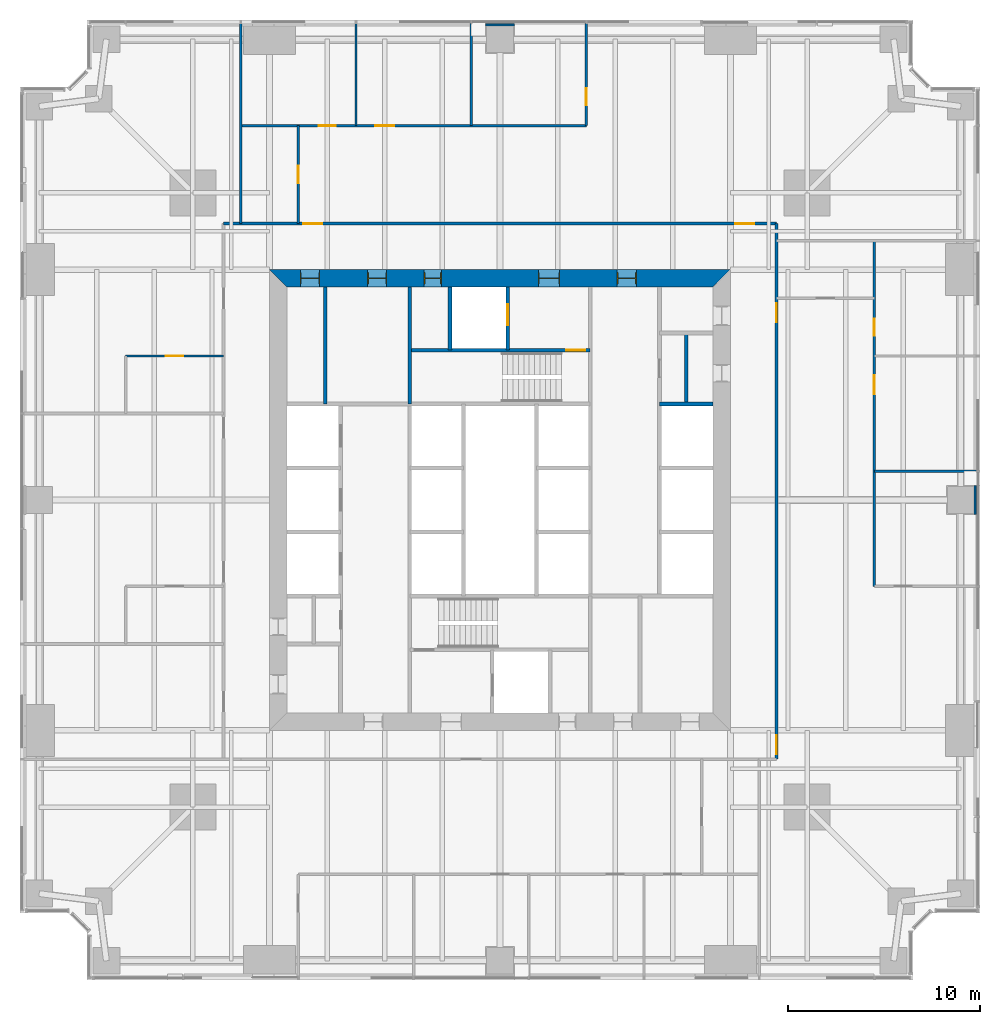
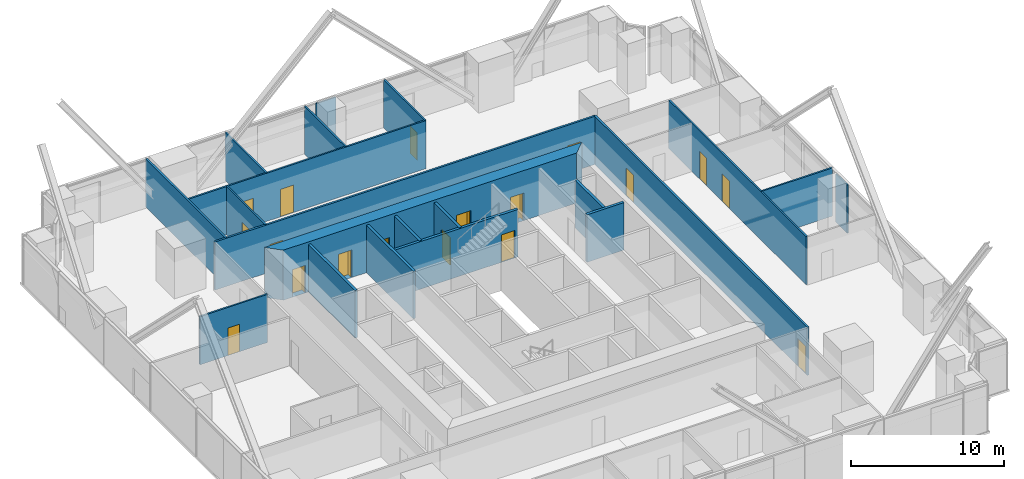
# One storey, part 11 of 14: 21 walls, 18 doors, 18 openings.
"""IFC4 building model written with IfcOpenShell, lengths in metres."""

from ifc_helpers import new_model, si_unit, direction, frame, frame_2d, origin, place, context, subcontext, project, spatial, polyline, rectangle, outline, extrude, material, layer, layer_set, type_object, element, fill, save


model = new_model("IFC4")

# Units and contexts
model_context = context("Model", 3, precision=1e-05, world=origin(), true_north=direction((0.0, 1.0)))
body_context = subcontext(model_context, "Body", "Model", "MODEL_VIEW")
ifc_project = project(units=[si_unit("LENGTHUNIT", "METRE"), si_unit("AREAUNIT", "SQUARE_METRE"), si_unit("VOLUMEUNIT", "CUBIC_METRE"), si_unit("PLANEANGLEUNIT", "RADIAN"), si_unit("MASSUNIT", "GRAM", prefix="KILO")], contexts=[model_context])

# Site, building, storey
site_placement = place(None, origin())
site = spatial("IfcSite", under=ifc_project, at=site_placement, CompositionType="ELEMENT")
building_placement = place(site_placement, origin())
building = spatial("IfcBuilding", under=site, at=building_placement, Name="Fenwick Lantern Interchange", CompositionType="ELEMENT")
storey_placement = place(building_placement, frame((0.0, 0.0, 79.0)))
storey = spatial("IfcBuildingStorey", under=building, at=storey_placement, Name="L18", CompositionType="ELEMENT", Elevation=79.0)

# Walls
ifc_material_1 = material(Name="Fire-rated gypsum board encasement on steel studs, 2 hour", Category="steel")
ifc_layer_1 = layer(ifc_material_1, 1.5)
ifc_layer_set_1 = layer_set([ifc_layer_1], Name="COLUMN PIER 1500")
wall_type_1 = type_object("IfcWallType", Name="COLUMN PIER 1500", PredefinedType="PARTITIONING", material=ifc_layer_set_1)
for number, where, z_axis, x_axis, name in (
    (1, (49.800048828125, 25.0, 0.0), (0.0, 0.0, 1.0), (-1.0, 0.0, 0.0), "L18/W/PIER/CE3"),
    (2, (25.0, 49.800048828125, 0.0), (0.0, 0.0, 1.0), (0.0, -1.0, 0.0), "L18/W/PIER/CN3"),
):
    element("IfcWall", number, at=place(storey_placement, frame(where, z_axis=z_axis, x_axis=x_axis)), inside=storey, type_object=wall_type_1, Name=name, PredefinedType="PARTITIONING", context=body_context, shape_type="SweptSolid", body=[
        extrude(rectangle(XDim=0.10009765625, YDim=1.5, at=frame_2d((0.050048828125, 0.0))), origin(), (0.0, 0.0, 1.0), 3.85009765625),
    ])
ifc_material_2 = material(Name="Concrete masonry ASTM C90 Grade N", Category="masonry")
ifc_layer_2 = layer(ifc_material_2, 0.199951171875)
ifc_layer_set_2 = layer_set([ifc_layer_2], Name="Concrete masonry ASTM C90 Grade N")
wall_type_2 = type_object("IfcWallType", Name="CORE PARTITION 200", PredefinedType="PARTITIONING", material=ifc_layer_set_2)
wall_1_placement = place(storey_placement, frame((36.10009765625, 30.0, 0.0), z_axis=(0.0, 0.0, 1.0), x_axis=(-1.0, 0.0, 0.0)))
element("IfcWall", 3, at=wall_1_placement, inside=storey, type_object=wall_type_2, Name="L18/W/COREN/c2", PredefinedType="PARTITIONING", context=body_context, shape_type="SweptSolid", body=[
    extrude(rectangle(XDim=2.800048828125, YDim=0.199951171875, at=frame_2d((1.39990234375, 0.0))), origin(), (0.0, 0.0, 1.0), 3.800048828125),
])

# Wall, opening, door
wall_2_placement = place(storey_placement, frame((25.39990234375, 36.10009765625, 0.0), z_axis=(0.0, 0.0, 1.0), x_axis=(0.0, -1.0, 0.0)))
wall_2 = element("IfcWall", 4, at=wall_2_placement, inside=storey, type_object=wall_type_2, Name="L18/W/COREN/h1", PredefinedType="PARTITIONING", context=body_context, shape_type="SweptSolid", body=[
    extrude(rectangle(XDim=3.300048828125, YDim=0.199951171875, at=frame_2d((1.64990234375, 0.0))), origin(), (0.0, 0.0, 1.0), 3.800048828125),
])
opening_1_placement = place(wall_2_placement, frame((0.89990234375, 0.0, 0.0)))
opening_1 = element("IfcOpeningElement", 5, at=opening_1_placement, cuts=wall_2, Name="Opening LD-FL2", PredefinedType="OPENING", context=body_context, shape_type="SweptSolid", body=[
    extrude(rectangle(XDim=1.10009765625, YDim=2.199951171875, at=frame_2d((0.550048828125, 1.10009765625))), frame((0.0, 0.10986328125, 0.0), z_axis=(0.0, -1.0, 0.0), x_axis=(1.0, 0.0, 0.0)), (0.0, 0.0, 1.0), 0.219970703125),
])
ifc_material_3 = material(Name="Steel door and frame", Category="steel")
door_type_1 = type_object("IfcDoorType", Name="LIFT LANDING DOOR 1100 X 2200", OperationType="DOUBLE_DOOR_SLIDING", PredefinedType="DOOR", material=ifc_material_3)
door_1_placement = place(opening_1_placement, origin())
door_1 = element("IfcDoor", 6, at=door_1_placement, inside=storey, type_object=door_type_1, Name="Lift landing door FL2", OperationType="DOUBLE_DOOR_SLIDING", OverallHeight=2.199951171875, OverallWidth=1.10009765625, PredefinedType="DOOR", context=body_context, shape_type="SweptSolid", body=[
    extrude(rectangle(XDim=1.10009765625, YDim=2.199951171875, at=frame_2d((0.550048828125, 1.10009765625))), frame((0.0, 0.02490234375, 0.0), z_axis=(0.0, -1.0, 0.0), x_axis=(1.0, 0.0, 0.0)), (0.0, 0.0, 1.0), 0.050048828125),
])
fill(opening_1, door_1)

# Walls
wall_3_placement = place(storey_placement, frame((22.39990234375, 36.10009765625, 0.0), z_axis=(0.0, 0.0, 1.0), x_axis=(0.0, -1.0, 0.0)))
element("IfcWall", 7, at=wall_3_placement, inside=storey, type_object=wall_type_2, Name="L18/W/COREN/h2", PredefinedType="PARTITIONING", context=body_context, shape_type="SweptSolid", body=[
    extrude(rectangle(XDim=3.300048828125, YDim=0.199951171875, at=frame_2d((1.64990234375, 0.0))), origin(), (0.0, 0.0, 1.0), 3.800048828125),
])
wall_4_placement = place(storey_placement, frame((15.89990234375, 36.10009765625, 0.0), z_axis=(0.0, 0.0, 1.0), x_axis=(0.0, -1.0, 0.0)))
element("IfcWall", 8, at=wall_4_placement, inside=storey, type_object=wall_type_2, Name="L18/W/COREN/i2", PredefinedType="PARTITIONING", context=body_context, shape_type="SweptSolid", body=[
    extrude(rectangle(XDim=6.10009765625, YDim=0.199951171875, at=frame_2d((3.050048828125, 0.0))), origin(), (0.0, 0.0, 1.0), 3.800048828125),
])
wall_5_placement = place(storey_placement, frame((34.699951171875, 33.699951171875, 0.0), z_axis=(0.0, 0.0, 1.0), x_axis=(0.0, -1.0, 0.0)))
element("IfcWall", 9, at=wall_5_placement, inside=storey, type_object=wall_type_2, Name="L18/W/COREN/px", PredefinedType="PARTITIONING", context=body_context, shape_type="SweptSolid", body=[
    extrude(rectangle(XDim=3.699951171875, YDim=0.199951171875, at=frame_2d((1.85009765625, 0.0))), origin(), (0.0, 0.0, 1.0), 3.800048828125),
])

# Wall, openings, doors
ifc_material_4 = material(Name="Concrete f'c 70 MPa", Category="concrete")
ifc_layer_3 = layer(ifc_material_4, 0.89990234375)
ifc_layer_set_3 = layer_set([ifc_layer_3], Name="CORE WALL 900")
wall_type_3 = type_object("IfcWallType", Name="CORE WALL 900", PredefinedType="SHEAR", material=ifc_layer_set_3)
wall_6_placement = place(storey_placement, frame((37.0, 36.550048828125, 0.0), z_axis=(0.0, 0.0, 1.0), x_axis=(-1.0, 0.0, 0.0)))
wall_6 = element("IfcWall", 10, at=wall_6_placement, inside=storey, type_object=wall_type_3, Name="L18/CORE/N", PredefinedType="SHEAR", context=body_context, shape_type="SweptSolid", body=[
    extrude(outline(polyline([(0.0, -0.449951171875), (24.0, -0.449951171875), (23.10009765625, 0.449951171875), (0.89990234375, 0.449951171875), (0.0, -0.449951171875)])), origin(), (0.0, 0.0, 1.0), 4.0),
])
opening_2_placement = place(wall_6_placement, frame((4.89990234375, 0.0, 0.0)))
opening_2 = element("IfcOpeningElement", 11, at=opening_2_placement, cuts=wall_6, Name="Opening L18-D010", PredefinedType="OPENING", context=body_context, shape_type="SweptSolid", body=[
    extrude(rectangle(XDim=1.0, YDim=2.199951171875, at=frame_2d((0.5, 1.10009765625))), frame((0.0, 0.4599609375, 0.0), z_axis=(0.0, -1.0, 0.0), x_axis=(1.0, 0.0, 0.0)), (0.0, 0.0, 1.0), 0.919921875),
])
opening_3_placement = place(wall_6_placement, frame((8.89990234375, 0.0, 0.0)))
opening_3 = element("IfcOpeningElement", 12, at=opening_3_placement, cuts=wall_6, Name="Opening L18-D011", PredefinedType="OPENING", context=body_context, shape_type="SweptSolid", body=[
    extrude(rectangle(XDim=1.10009765625, YDim=2.199951171875, at=frame_2d((0.550048828125, 1.10009765625))), frame((0.0, 0.4599609375, 0.0), z_axis=(0.0, -1.0, 0.0), x_axis=(1.0, 0.0, 0.0)), (0.0, 0.0, 1.0), 0.919921875),
])
opening_4_placement = place(wall_6_placement, frame((15.050048828125, 0.0, 0.0)))
opening_4 = element("IfcOpeningElement", 13, at=opening_4_placement, cuts=wall_6, Name="Opening L18-D013", PredefinedType="OPENING", context=body_context, shape_type="SweptSolid", body=[
    extrude(rectangle(XDim=0.89990234375, YDim=2.199951171875, at=frame_2d((0.449951171875, 1.10009765625))), frame((0.0, 0.4599609375, 0.0), z_axis=(0.0, -1.0, 0.0), x_axis=(1.0, 0.0, 0.0)), (0.0, 0.0, 1.0), 0.919921875),
])
opening_5_placement = place(wall_6_placement, frame((17.89990234375, 0.0, 0.0)))
opening_5 = element("IfcOpeningElement", 14, at=opening_5_placement, cuts=wall_6, Name="Opening L18-D014", PredefinedType="OPENING", context=body_context, shape_type="SweptSolid", body=[
    extrude(rectangle(XDim=1.0, YDim=2.199951171875, at=frame_2d((0.5, 1.10009765625))), frame((0.0, 0.4599609375, 0.0), z_axis=(0.0, -1.0, 0.0), x_axis=(1.0, 0.0, 0.0)), (0.0, 0.0, 1.0), 0.919921875),
])
opening_6_placement = place(wall_6_placement, frame((21.39990234375, 0.0, 0.0)))
opening_6 = element("IfcOpeningElement", 15, at=opening_6_placement, cuts=wall_6, Name="Opening L18-D015", PredefinedType="OPENING", context=body_context, shape_type="SweptSolid", body=[
    extrude(rectangle(XDim=1.0, YDim=2.199951171875, at=frame_2d((0.5, 1.10009765625))), frame((0.0, 0.4599609375, 0.0), z_axis=(0.0, -1.0, 0.0), x_axis=(1.0, 0.0, 0.0)), (0.0, 0.0, 1.0), 0.919921875),
])
door_type_2 = type_object("IfcDoorType", Name="CORE LOBBY DOOR 1000 X 2200", OperationType="SINGLE_SWING_LEFT", PredefinedType="DOOR", material=ifc_material_3)
door_2_placement = place(opening_2_placement, origin())
door_2 = element("IfcDoor", 16, at=door_2_placement, inside=storey, type_object=door_type_2, Name="Core lobby door", OperationType="SINGLE_SWING_LEFT", OverallHeight=2.199951171875, OverallWidth=1.0, PredefinedType="DOOR", context=body_context, shape_type="SweptSolid", body=[
    extrude(rectangle(XDim=1.0, YDim=2.199951171875, at=frame_2d((0.5, 1.10009765625))), frame((0.0, 0.02490234375, 0.0), z_axis=(0.0, -1.0, 0.0), x_axis=(1.0, 0.0, 0.0)), (0.0, 0.0, 1.0), 0.050048828125),
    extrude(outline(polyline([(0.0, 0.0), (0.0400390625, 0.0), (0.0400390625, 2.159912109375), (0.9599609375, 2.159912109375), (0.9599609375, 0.0), (1.0, 0.0), (1.0, 2.199951171875), (0.0, 2.199951171875), (0.0, 0.0)])), frame((0.0, 0.300048828125, 0.0), z_axis=(0.0, -1.0, 0.0), x_axis=(1.0, 0.0, 0.0)), (0.0, 0.0, 1.0), 0.60009765625),
])
fill(opening_2, door_2)
door_type_3 = type_object("IfcDoorType", Name="FIRE LOBBY DOOR 1100 X 2200", OperationType="SINGLE_SWING_LEFT", PredefinedType="DOOR", material=ifc_material_3)
door_3_placement = place(opening_3_placement, origin())
door_3 = element("IfcDoor", 17, at=door_3_placement, inside=storey, type_object=door_type_3, Name="Fire lobby door", OperationType="SINGLE_SWING_LEFT", OverallHeight=2.199951171875, OverallWidth=1.10009765625, PredefinedType="DOOR", context=body_context, shape_type="SweptSolid", body=[
    extrude(rectangle(XDim=1.10009765625, YDim=2.199951171875, at=frame_2d((0.550048828125, 1.10009765625))), frame((0.0, 0.02490234375, 0.0), z_axis=(0.0, -1.0, 0.0), x_axis=(1.0, 0.0, 0.0)), (0.0, 0.0, 1.0), 0.050048828125),
    extrude(outline(polyline([(0.0, 0.0), (0.0400390625, 0.0), (0.0400390625, 2.159912109375), (1.06005859375, 2.159912109375), (1.06005859375, 0.0), (1.10009765625, 0.0), (1.10009765625, 2.199951171875), (0.0, 2.199951171875), (0.0, 0.0)])), frame((0.0, 0.300048828125, 0.0), z_axis=(0.0, -1.0, 0.0), x_axis=(1.0, 0.0, 0.0)), (0.0, 0.0, 1.0), 0.60009765625),
])
fill(opening_3, door_3)
door_type_4 = type_object("IfcDoorType", Name="SERVICE DOOR 900 X 2200", OperationType="SINGLE_SWING_LEFT", PredefinedType="DOOR", material=ifc_material_3)
door_4_placement = place(opening_4_placement, origin())
door_4 = element("IfcDoor", 18, at=door_4_placement, inside=storey, type_object=door_type_4, Name="Service door", OperationType="SINGLE_SWING_LEFT", OverallHeight=2.199951171875, OverallWidth=0.89990234375, PredefinedType="DOOR", context=body_context, shape_type="SweptSolid", body=[
    extrude(rectangle(XDim=0.89990234375, YDim=2.199951171875, at=frame_2d((0.449951171875, 1.10009765625))), frame((0.0, 0.02490234375, 0.0), z_axis=(0.0, -1.0, 0.0), x_axis=(1.0, 0.0, 0.0)), (0.0, 0.0, 1.0), 0.050048828125),
    extrude(outline(polyline([(0.0, 0.0), (0.0400390625, 0.0), (0.0400390625, 2.159912109375), (0.85986328125, 2.159912109375), (0.85986328125, 0.0), (0.89990234375, 0.0), (0.89990234375, 2.199951171875), (0.0, 2.199951171875), (0.0, 0.0)])), frame((0.0, 0.300048828125, 0.0), z_axis=(0.0, -1.0, 0.0), x_axis=(1.0, 0.0, 0.0)), (0.0, 0.0, 1.0), 0.60009765625),
])
fill(opening_4, door_4)
ifc_material_5 = material(Name="Hardwood door and steel frame", Category="steel")
door_type_5 = type_object("IfcDoorType", Name="WC DOOR 1000 X 2200", OperationType="SINGLE_SWING_LEFT", PredefinedType="DOOR", material=ifc_material_5)
door_5_placement = place(opening_5_placement, origin())
door_5 = element("IfcDoor", 19, at=door_5_placement, inside=storey, type_object=door_type_5, Name="Wc door", OperationType="SINGLE_SWING_LEFT", OverallHeight=2.199951171875, OverallWidth=1.0, PredefinedType="DOOR", context=body_context, shape_type="SweptSolid", body=[
    extrude(rectangle(XDim=1.0, YDim=2.199951171875, at=frame_2d((0.5, 1.10009765625))), frame((0.0, 0.02490234375, 0.0), z_axis=(0.0, -1.0, 0.0), x_axis=(1.0, 0.0, 0.0)), (0.0, 0.0, 1.0), 0.050048828125),
    extrude(outline(polyline([(0.0, 0.0), (0.0400390625, 0.0), (0.0400390625, 2.159912109375), (0.9599609375, 2.159912109375), (0.9599609375, 0.0), (1.0, 0.0), (1.0, 2.199951171875), (0.0, 2.199951171875), (0.0, 0.0)])), frame((0.0, 0.300048828125, 0.0), z_axis=(0.0, -1.0, 0.0), x_axis=(1.0, 0.0, 0.0)), (0.0, 0.0, 1.0), 0.60009765625),
])
fill(opening_5, door_5)
door_6_placement = place(opening_6_placement, origin())
door_6 = element("IfcDoor", 20, at=door_6_placement, inside=storey, type_object=door_type_5, Name="Wc door", OperationType="SINGLE_SWING_LEFT", OverallHeight=2.199951171875, OverallWidth=1.0, PredefinedType="DOOR", context=body_context, shape_type="SweptSolid", body=[
    extrude(rectangle(XDim=1.0, YDim=2.199951171875, at=frame_2d((0.5, 1.10009765625))), frame((0.0, 0.02490234375, 0.0), z_axis=(0.0, -1.0, 0.0), x_axis=(1.0, 0.0, 0.0)), (0.0, 0.0, 1.0), 0.050048828125),
    extrude(outline(polyline([(0.0, 0.0), (0.0400390625, 0.0), (0.0400390625, 2.159912109375), (0.9599609375, 2.159912109375), (0.9599609375, 0.0), (1.0, 0.0), (1.0, 2.199951171875), (0.0, 2.199951171875), (0.0, 0.0)])), frame((0.0, 0.300048828125, 0.0), z_axis=(0.0, -1.0, 0.0), x_axis=(1.0, 0.0, 0.0)), (0.0, 0.0, 1.0), 0.60009765625),
])
fill(opening_6, door_6)

ifc_material_6 = material(Name="Gypsum board on steel studs, 1 hour", Category="steel")
ifc_layer_4 = layer(ifc_material_6, 0.14990234375)
ifc_layer_set_4 = layer_set([ifc_layer_4], Name="CORRIDOR WALL 150")
wall_type_4 = type_object("IfcWallType", Name="CORRIDOR WALL 150", PredefinedType="PARTITIONING", material=ifc_layer_set_4)
wall_7_placement = place(storey_placement, frame((39.39990234375, 11.5, 0.0), z_axis=(0.0, 0.0, 1.0), x_axis=(0.0, 1.0, 0.0)))
wall_7 = element("IfcWall", 21, at=wall_7_placement, inside=storey, type_object=wall_type_4, Name="L18/W/OFF/E/CW2", PredefinedType="PARTITIONING", context=body_context, shape_type="SweptSolid", body=[
    extrude(rectangle(XDim=27.89990234375, YDim=0.14990234375, at=frame_2d((13.949951171875, 0.0))), origin(), (0.0, 0.0, 1.0), 3.85009765625),
])
opening_7_placement = place(wall_7_placement, frame((0.25, 0.0, 0.0)))
opening_7 = element("IfcOpeningElement", 22, at=opening_7_placement, cuts=wall_7, Name="Opening L18-D025", PredefinedType="OPENING", context=body_context, shape_type="SweptSolid", body=[
    extrude(rectangle(XDim=1.0, YDim=2.199951171875, at=frame_2d((0.5, 1.10009765625))), frame((0.0, 0.0849609375, 0.0), z_axis=(0.0, -1.0, 0.0), x_axis=(1.0, 0.0, 0.0)), (0.0, 0.0, 1.0), 0.169921875),
])
opening_8_placement = place(wall_7_placement, frame((22.75, 0.0, 0.0)))
opening_8 = element("IfcOpeningElement", 23, at=opening_8_placement, cuts=wall_7, Name="Opening L18-D026", PredefinedType="OPENING", context=body_context, shape_type="SweptSolid", body=[
    extrude(rectangle(XDim=1.0, YDim=2.199951171875, at=frame_2d((0.5, 1.10009765625))), frame((0.0, 0.0849609375, 0.0), z_axis=(0.0, -1.0, 0.0), x_axis=(1.0, 0.0, 0.0)), (0.0, 0.0, 1.0), 0.169921875),
])
door_type_6 = type_object("IfcDoorType", Name="SUITE ENTRANCE DOOR 1000 X 2200", OperationType="SINGLE_SWING_LEFT", PredefinedType="DOOR", material=ifc_material_3)
door_7_placement = place(opening_7_placement, origin())
door_7 = element("IfcDoor", 24, at=door_7_placement, inside=storey, type_object=door_type_6, Name="Suite entrance door", OperationType="SINGLE_SWING_LEFT", OverallHeight=2.199951171875, OverallWidth=1.0, PredefinedType="DOOR", context=body_context, shape_type="SweptSolid", body=[
    extrude(rectangle(XDim=1.0, YDim=2.199951171875, at=frame_2d((0.5, 1.10009765625))), frame((0.0, 0.02490234375, 0.0), z_axis=(0.0, -1.0, 0.0), x_axis=(1.0, 0.0, 0.0)), (0.0, 0.0, 1.0), 0.050048828125),
])
fill(opening_7, door_7)
door_8_placement = place(opening_8_placement, origin())
door_8 = element("IfcDoor", 25, at=door_8_placement, inside=storey, type_object=door_type_6, Name="Suite entrance door", OperationType="SINGLE_SWING_RIGHT", OverallHeight=2.199951171875, OverallWidth=1.0, PredefinedType="DOOR", context=body_context, shape_type="SweptSolid", body=[
    extrude(rectangle(XDim=1.0, YDim=2.199951171875, at=frame_2d((0.5, 1.10009765625))), frame((0.0, 0.02490234375, 0.0), z_axis=(0.0, -1.0, 0.0), x_axis=(1.0, 0.0, 0.0)), (0.0, 0.0, 1.0), 0.050048828125),
])
fill(opening_8, door_8)

wall_8_placement = place(storey_placement, frame((39.39990234375, 39.39990234375, 0.0), z_axis=(0.0, 0.0, 1.0), x_axis=(-1.0, 0.0, 0.0)))
wall_8 = element("IfcWall", 26, at=wall_8_placement, inside=storey, type_object=wall_type_4, Name="L18/W/OFF/N/CW2", PredefinedType="PARTITIONING", context=body_context, shape_type="SweptSolid", body=[
    extrude(rectangle(XDim=28.7998046875, YDim=0.14990234375, at=frame_2d((14.39990234375, 0.0))), origin(), (0.0, 0.0, 1.0), 3.85009765625),
])
opening_9_placement = place(wall_8_placement, frame((1.14990234375, 0.0, 0.0)))
opening_9 = element("IfcOpeningElement", 27, at=opening_9_placement, cuts=wall_8, Name="Opening L18-D031", PredefinedType="OPENING", context=body_context, shape_type="SweptSolid", body=[
    extrude(rectangle(XDim=1.0, YDim=2.199951171875, at=frame_2d((0.5, 1.10009765625))), frame((0.0, 0.0849609375, 0.0), z_axis=(0.0, -1.0, 0.0), x_axis=(1.0, 0.0, 0.0)), (0.0, 0.0, 1.0), 0.169921875),
])
opening_10_placement = place(wall_8_placement, frame((23.64990234375, 0.0, 0.0)))
opening_10 = element("IfcOpeningElement", 28, at=opening_10_placement, cuts=wall_8, Name="Opening L18-D032", PredefinedType="OPENING", context=body_context, shape_type="SweptSolid", body=[
    extrude(rectangle(XDim=1.0, YDim=2.199951171875, at=frame_2d((0.5, 1.10009765625))), frame((0.0, 0.0849609375, 0.0), z_axis=(0.0, -1.0, 0.0), x_axis=(1.0, 0.0, 0.0)), (0.0, 0.0, 1.0), 0.169921875),
])
door_9_placement = place(opening_9_placement, origin())
door_9 = element("IfcDoor", 29, at=door_9_placement, inside=storey, type_object=door_type_6, Name="Suite entrance door", OperationType="SINGLE_SWING_LEFT", OverallHeight=2.199951171875, OverallWidth=1.0, PredefinedType="DOOR", context=body_context, shape_type="SweptSolid", body=[
    extrude(rectangle(XDim=1.0, YDim=2.199951171875, at=frame_2d((0.5, 1.10009765625))), frame((0.0, 0.02490234375, 0.0), z_axis=(0.0, -1.0, 0.0), x_axis=(1.0, 0.0, 0.0)), (0.0, 0.0, 1.0), 0.050048828125),
])
fill(opening_9, door_9)
door_10_placement = place(opening_10_placement, origin())
door_10 = element("IfcDoor", 30, at=door_10_placement, inside=storey, type_object=door_type_6, Name="Suite entrance door", OperationType="SINGLE_SWING_RIGHT", OverallHeight=2.199951171875, OverallWidth=1.0, PredefinedType="DOOR", context=body_context, shape_type="SweptSolid", body=[
    extrude(rectangle(XDim=1.0, YDim=2.199951171875, at=frame_2d((0.5, 1.10009765625))), frame((0.0, 0.02490234375, 0.0), z_axis=(0.0, -1.0, 0.0), x_axis=(1.0, 0.0, 0.0)), (0.0, 0.0, 1.0), 0.050048828125),
])
fill(opening_10, door_10)

# Wall
ifc_material_7 = material(Name="Gypsum board on steel studs, acoustic", Category="steel")
ifc_layer_5 = layer(ifc_material_7, 0.125)
ifc_layer_set_5 = layer_set([ifc_layer_5], Name="OFFICE PARTITION 125")
wall_type_5 = type_object("IfcWallType", Name="OFFICE PARTITION 125", PredefinedType="PARTITIONING", material=ifc_layer_set_5)
wall_9_placement = place(storey_placement, frame((49.85009765625, 26.5, 0.0), z_axis=(0.0, 0.0, 1.0), x_axis=(-1.0, 0.0, 0.0)))
element("IfcWall", 31, at=wall_9_placement, inside=storey, type_object=wall_type_5, Name="L18/W/OFF/E/X265-1", PredefinedType="PARTITIONING", context=body_context, shape_type="SweptSolid", body=[
    extrude(rectangle(XDim=5.35009765625, YDim=0.125, at=frame_2d((2.675048828125, 0.0))), origin(), (0.0, 0.0, 1.0), 3.85009765625),
])

# Wall, openings, doors
wall_10_placement = place(storey_placement, frame((44.5, 20.5, 0.0), z_axis=(0.0, 0.0, 1.0), x_axis=(0.0, 1.0, 0.0)))
wall_10 = element("IfcWall", 32, at=wall_10_placement, inside=storey, type_object=wall_type_5, Name="L18/W/OFF/E/Y55-1", PredefinedType="PARTITIONING", context=body_context, shape_type="SweptSolid", body=[
    extrude(rectangle(XDim=18.0, YDim=0.125, at=frame_2d((9.0, 0.0))), origin(), (0.0, 0.0, 1.0), 3.85009765625),
])
opening_11_placement = place(wall_10_placement, frame((10.0, 0.0, 0.0)))
opening_11 = element("IfcOpeningElement", 33, at=opening_11_placement, cuts=wall_10, Name="Opening L18-D028", PredefinedType="OPENING", context=body_context, shape_type="SweptSolid", body=[
    extrude(rectangle(XDim=1.0, YDim=2.199951171875, at=frame_2d((0.5, 1.10009765625))), frame((0.0, 0.072509765625, 0.0), z_axis=(0.0, -1.0, 0.0), x_axis=(1.0, 0.0, 0.0)), (0.0, 0.0, 1.0), 0.14501953125),
])
opening_12_placement = place(wall_10_placement, frame((13.050048828125, 0.0, 0.0)))
opening_12 = element("IfcOpeningElement", 34, at=opening_12_placement, cuts=wall_10, Name="Opening L18-D029", PredefinedType="OPENING", context=body_context, shape_type="SweptSolid", body=[
    extrude(rectangle(XDim=0.89990234375, YDim=2.199951171875, at=frame_2d((0.449951171875, 1.10009765625))), frame((0.0, 0.072509765625, 0.0), z_axis=(0.0, -1.0, 0.0), x_axis=(1.0, 0.0, 0.0)), (0.0, 0.0, 1.0), 0.14501953125),
])
door_type_7 = type_object("IfcDoorType", Name="MEETING ROOM DOOR 1000 X 2200", OperationType="SINGLE_SWING_LEFT", PredefinedType="DOOR", material=ifc_material_5)
door_11_placement = place(opening_11_placement, frame((1.0, 0.0, 0.0), z_axis=(0.0, 0.0, 1.0), x_axis=(-1.0, 0.0, 0.0)))
door_11 = element("IfcDoor", 35, at=door_11_placement, inside=storey, type_object=door_type_7, Name="Meeting room door", OperationType="SINGLE_SWING_LEFT", OverallHeight=2.199951171875, OverallWidth=1.0, PredefinedType="DOOR", context=body_context, shape_type="SweptSolid", body=[
    extrude(rectangle(XDim=1.0, YDim=2.199951171875, at=frame_2d((0.5, 1.10009765625))), frame((0.0, 0.02490234375, 0.0), z_axis=(0.0, -1.0, 0.0), x_axis=(1.0, 0.0, 0.0)), (0.0, 0.0, 1.0), 0.050048828125),
])
fill(opening_11, door_11)
door_type_8 = type_object("IfcDoorType", Name="OFFICE DOOR 900 X 2200", OperationType="SINGLE_SWING_LEFT", PredefinedType="DOOR", material=ifc_material_5)
door_12_placement = place(opening_12_placement, frame((0.89990234375, 0.0, 0.0), z_axis=(0.0, 0.0, 1.0), x_axis=(-1.0, 0.0, 0.0)))
door_12 = element("IfcDoor", 36, at=door_12_placement, inside=storey, type_object=door_type_8, Name="Office door", OperationType="SINGLE_SWING_RIGHT", OverallHeight=2.199951171875, OverallWidth=0.89990234375, PredefinedType="DOOR", context=body_context, shape_type="SweptSolid", body=[
    extrude(rectangle(XDim=0.89990234375, YDim=2.199951171875, at=frame_2d((0.449951171875, 1.10009765625))), frame((0.0, 0.02490234375, 0.0), z_axis=(0.0, -1.0, 0.0), x_axis=(1.0, 0.0, 0.0)), (0.0, 0.0, 1.0), 0.050048828125),
])
fill(opening_12, door_12)

# Wall, opening, door
wall_11_placement = place(storey_placement, frame((29.5, 49.85009765625, 0.0), z_axis=(0.0, 0.0, 1.0), x_axis=(0.0, -1.0, 0.0)))
wall_11 = element("IfcWall", 37, at=wall_11_placement, inside=storey, type_object=wall_type_5, Name="L18/W/OFF/N/X205-1", PredefinedType="PARTITIONING", context=body_context, shape_type="SweptSolid", body=[
    extrude(rectangle(XDim=5.35009765625, YDim=0.125, at=frame_2d((2.675048828125, 0.0))), origin(), (0.0, 0.0, 1.0), 3.85009765625),
])
opening_13_placement = place(wall_11_placement, frame((3.39990234375, 0.0, 0.0)))
opening_13 = element("IfcOpeningElement", 38, at=opening_13_placement, cuts=wall_11, Name="Opening L18-D033", PredefinedType="OPENING", context=body_context, shape_type="SweptSolid", body=[
    extrude(rectangle(XDim=0.89990234375, YDim=2.199951171875, at=frame_2d((0.449951171875, 1.10009765625))), frame((0.0, 0.072509765625, 0.0), z_axis=(0.0, -1.0, 0.0), x_axis=(1.0, 0.0, 0.0)), (0.0, 0.0, 1.0), 0.14501953125),
])
door_13_placement = place(opening_13_placement, frame((0.89990234375, 0.0, 0.0), z_axis=(0.0, 0.0, 1.0), x_axis=(-1.0, 0.0, 0.0)))
door_13 = element("IfcDoor", 39, at=door_13_placement, inside=storey, type_object=door_type_8, Name="Office door", OperationType="SINGLE_SWING_LEFT", OverallHeight=2.199951171875, OverallWidth=0.89990234375, PredefinedType="DOOR", context=body_context, shape_type="SweptSolid", body=[
    extrude(rectangle(XDim=0.89990234375, YDim=2.199951171875, at=frame_2d((0.449951171875, 1.10009765625))), frame((0.0, 0.02490234375, 0.0), z_axis=(0.0, -1.0, 0.0), x_axis=(1.0, 0.0, 0.0)), (0.0, 0.0, 1.0), 0.050048828125),
])
fill(opening_13, door_13)

# Walls
for number, where, z_axis, x_axis, name in (
    (40, (23.5, 49.85009765625, 0.0), (0.0, 0.0, 1.0), (0.0, -1.0, 0.0), "L18/W/OFF/N/X265-1"),
    (41, (17.5, 49.85009765625, 0.0), (0.0, 0.0, 1.0), (0.0, -1.0, 0.0), "L18/W/OFF/N/X325-1"),
):
    element("IfcWall", number, at=place(storey_placement, frame(where, z_axis=z_axis, x_axis=x_axis)), inside=storey, type_object=wall_type_5, Name=name, PredefinedType="PARTITIONING", context=body_context, shape_type="SweptSolid", body=[
        extrude(rectangle(XDim=5.35009765625, YDim=0.125, at=frame_2d((2.675048828125, 0.0))), origin(), (0.0, 0.0, 1.0), 3.85009765625),
    ])

# Wall, opening, door
wall_12_placement = place(storey_placement, frame((14.5, 44.5, 0.0), z_axis=(0.0, 0.0, 1.0), x_axis=(0.0, -1.0, 0.0)))
wall_12 = element("IfcWall", 42, at=wall_12_placement, inside=storey, type_object=wall_type_5, Name="L18/W/OFF/N/X355-1", PredefinedType="PARTITIONING", context=body_context, shape_type="SweptSolid", body=[
    extrude(rectangle(XDim=5.10009765625, YDim=0.125, at=frame_2d((2.550048828125, 0.0))), origin(), (0.0, 0.0, 1.0), 3.85009765625),
])
opening_14_placement = place(wall_12_placement, frame((2.10009765625, 0.0, 0.0)))
opening_14 = element("IfcOpeningElement", 43, at=opening_14_placement, cuts=wall_12, Name="Opening L18-D036", PredefinedType="OPENING", context=body_context, shape_type="SweptSolid", body=[
    extrude(rectangle(XDim=0.89990234375, YDim=2.199951171875, at=frame_2d((0.449951171875, 1.10009765625))), frame((0.0, 0.072509765625, 0.0), z_axis=(0.0, -1.0, 0.0), x_axis=(1.0, 0.0, 0.0)), (0.0, 0.0, 1.0), 0.14501953125),
])
door_14_placement = place(opening_14_placement, frame((0.89990234375, 0.0, 0.0), z_axis=(0.0, 0.0, 1.0), x_axis=(-1.0, 0.0, 0.0)))
door_14 = element("IfcDoor", 44, at=door_14_placement, inside=storey, type_object=door_type_8, Name="Office door", OperationType="SINGLE_SWING_RIGHT", OverallHeight=2.199951171875, OverallWidth=0.89990234375, PredefinedType="DOOR", context=body_context, shape_type="SweptSolid", body=[
    extrude(rectangle(XDim=0.89990234375, YDim=2.199951171875, at=frame_2d((0.449951171875, 1.10009765625))), frame((0.0, 0.02490234375, 0.0), z_axis=(0.0, -1.0, 0.0), x_axis=(1.0, 0.0, 0.0)), (0.0, 0.0, 1.0), 0.050048828125),
])
fill(opening_14, door_14)

# Wall, openings, doors
wall_13_placement = place(storey_placement, frame((29.5, 44.5, 0.0), z_axis=(0.0, 0.0, 1.0), x_axis=(-1.0, 0.0, 0.0)))
wall_13 = element("IfcWall", 45, at=wall_13_placement, inside=storey, type_object=wall_type_5, Name="L18/W/OFF/N/Y55-1", PredefinedType="PARTITIONING", context=body_context, shape_type="SweptSolid", body=[
    extrude(rectangle(XDim=18.0, YDim=0.125, at=frame_2d((9.0, 0.0))), origin(), (0.0, 0.0, 1.0), 3.85009765625),
])
opening_15_placement = place(wall_13_placement, frame((10.0, 0.0, 0.0)))
opening_15 = element("IfcOpeningElement", 46, at=opening_15_placement, cuts=wall_13, Name="Opening L18-D034", PredefinedType="OPENING", context=body_context, shape_type="SweptSolid", body=[
    extrude(rectangle(XDim=1.0, YDim=2.199951171875, at=frame_2d((0.5, 1.10009765625))), frame((0.0, 0.072509765625, 0.0), z_axis=(0.0, -1.0, 0.0), x_axis=(1.0, 0.0, 0.0)), (0.0, 0.0, 1.0), 0.14501953125),
])
opening_16_placement = place(wall_13_placement, frame((13.050048828125, 0.0, 0.0)))
opening_16 = element("IfcOpeningElement", 47, at=opening_16_placement, cuts=wall_13, Name="Opening L18-D035", PredefinedType="OPENING", context=body_context, shape_type="SweptSolid", body=[
    extrude(rectangle(XDim=0.89990234375, YDim=2.199951171875, at=frame_2d((0.449951171875, 1.10009765625))), frame((0.0, 0.072509765625, 0.0), z_axis=(0.0, -1.0, 0.0), x_axis=(1.0, 0.0, 0.0)), (0.0, 0.0, 1.0), 0.14501953125),
])
door_15_placement = place(opening_15_placement, frame((1.0, 0.0, 0.0), z_axis=(0.0, 0.0, 1.0), x_axis=(-1.0, 0.0, 0.0)))
door_15 = element("IfcDoor", 48, at=door_15_placement, inside=storey, type_object=door_type_7, Name="Meeting room door", OperationType="SINGLE_SWING_LEFT", OverallHeight=2.199951171875, OverallWidth=1.0, PredefinedType="DOOR", context=body_context, shape_type="SweptSolid", body=[
    extrude(rectangle(XDim=1.0, YDim=2.199951171875, at=frame_2d((0.5, 1.10009765625))), frame((0.0, 0.02490234375, 0.0), z_axis=(0.0, -1.0, 0.0), x_axis=(1.0, 0.0, 0.0)), (0.0, 0.0, 1.0), 0.050048828125),
])
fill(opening_15, door_15)
door_16_placement = place(opening_16_placement, frame((0.89990234375, 0.0, 0.0), z_axis=(0.0, 0.0, 1.0), x_axis=(-1.0, 0.0, 0.0)))
door_16 = element("IfcDoor", 49, at=door_16_placement, inside=storey, type_object=door_type_8, Name="Office door", OperationType="SINGLE_SWING_RIGHT", OverallHeight=2.199951171875, OverallWidth=0.89990234375, PredefinedType="DOOR", context=body_context, shape_type="SweptSolid", body=[
    extrude(rectangle(XDim=0.89990234375, YDim=2.199951171875, at=frame_2d((0.449951171875, 1.10009765625))), frame((0.0, 0.02490234375, 0.0), z_axis=(0.0, -1.0, 0.0), x_axis=(1.0, 0.0, 0.0)), (0.0, 0.0, 1.0), 0.050048828125),
])
fill(opening_16, door_16)

# Wall, opening, door
wall_14_placement = place(storey_placement, frame((5.5, 32.5, 0.0), z_axis=(0.0, 0.0, 1.0), x_axis=(1.0, 0.0, 0.0)))
wall_14 = element("IfcWall", 50, at=wall_14_placement, inside=storey, type_object=wall_type_5, Name="L18/W/OFF/W/X175-1", PredefinedType="PARTITIONING", context=body_context, shape_type="SweptSolid", body=[
    extrude(rectangle(XDim=5.10009765625, YDim=0.125, at=frame_2d((2.550048828125, 0.0))), origin(), (0.0, 0.0, 1.0), 3.85009765625),
])
opening_17_placement = place(wall_14_placement, frame((2.10009765625, 0.0, 0.0)))
opening_17 = element("IfcOpeningElement", 51, at=opening_17_placement, cuts=wall_14, Name="Opening L18-D038", PredefinedType="OPENING", context=body_context, shape_type="SweptSolid", body=[
    extrude(rectangle(XDim=0.89990234375, YDim=2.199951171875, at=frame_2d((0.449951171875, 1.10009765625))), frame((0.0, 0.072509765625, 0.0), z_axis=(0.0, -1.0, 0.0), x_axis=(1.0, 0.0, 0.0)), (0.0, 0.0, 1.0), 0.14501953125),
])
door_17_placement = place(opening_17_placement, frame((0.89990234375, 0.0, 0.0), z_axis=(0.0, 0.0, 1.0), x_axis=(-1.0, 0.0, 0.0)))
door_17 = element("IfcDoor", 52, at=door_17_placement, inside=storey, type_object=door_type_8, Name="Office door", OperationType="SINGLE_SWING_RIGHT", OverallHeight=2.199951171875, OverallWidth=0.89990234375, PredefinedType="DOOR", context=body_context, shape_type="SweptSolid", body=[
    extrude(rectangle(XDim=0.89990234375, YDim=2.199951171875, at=frame_2d((0.449951171875, 1.10009765625))), frame((0.0, 0.02490234375, 0.0), z_axis=(0.0, -1.0, 0.0), x_axis=(1.0, 0.0, 0.0)), (0.0, 0.0, 1.0), 0.050048828125),
])
fill(opening_17, door_17)

ifc_material_8 = material(Name="Concrete f'c 45 MPa", Category="concrete")
ifc_layer_6 = layer(ifc_material_8, 0.199951171875)
ifc_layer_set_6 = layer_set([ifc_layer_6], Name="STAIR CORE WALL 200")
wall_type_6 = type_object("IfcWallType", Name="STAIR CORE WALL 200", PredefinedType="SOLIDWALL", material=ifc_layer_set_6)
wall_15_placement = place(storey_placement, frame((29.699951171875, 32.800048828125, 0.0), z_axis=(0.0, 0.0, 1.0), x_axis=(-1.0, 0.0, 0.0)))
wall_15 = element("IfcWall", 53, at=wall_15_placement, inside=storey, type_object=wall_type_6, Name="L18/W/COREN/g1", PredefinedType="SOLIDWALL", context=body_context, shape_type="SweptSolid", body=[
    extrude(rectangle(XDim=9.39990234375, YDim=0.199951171875, at=frame_2d((4.699951171875, 0.0))), origin(), (0.0, 0.0, 1.0), 3.800048828125),
])
opening_18_placement = place(wall_15_placement, frame((0.25, 0.0, 0.0)))
opening_18 = element("IfcOpeningElement", 54, at=opening_18_placement, cuts=wall_15, Name="Opening L18-D012", PredefinedType="OPENING", context=body_context, shape_type="SweptSolid", body=[
    extrude(rectangle(XDim=1.0, YDim=2.199951171875, at=frame_2d((0.5, 1.10009765625))), frame((0.0, 0.10986328125, 0.0), z_axis=(0.0, -1.0, 0.0), x_axis=(1.0, 0.0, 0.0)), (0.0, 0.0, 1.0), 0.219970703125),
])
door_type_9 = type_object("IfcDoorType", Name="STAIR DOOR 1000 X 2200", OperationType="SINGLE_SWING_LEFT", PredefinedType="DOOR", material=ifc_material_3)
door_18_placement = place(opening_18_placement, origin())
door_18 = element("IfcDoor", 55, at=door_18_placement, inside=storey, type_object=door_type_9, Name="Stair door", OperationType="SINGLE_SWING_LEFT", OverallHeight=2.199951171875, OverallWidth=1.0, PredefinedType="DOOR", context=body_context, shape_type="SweptSolid", body=[
    extrude(rectangle(XDim=1.0, YDim=2.199951171875, at=frame_2d((0.5, 1.10009765625))), frame((0.0, 0.02490234375, 0.0), z_axis=(0.0, -1.0, 0.0), x_axis=(1.0, 0.0, 0.0)), (0.0, 0.0, 1.0), 0.050048828125),
])
fill(opening_18, door_18)

# Walls
wall_16_placement = place(storey_placement, frame((20.300048828125, 36.10009765625, 0.0), z_axis=(0.0, 0.0, 1.0), x_axis=(0.0, -1.0, 0.0)))
element("IfcWall", 56, at=wall_16_placement, inside=storey, type_object=wall_type_6, Name="L18/W/COREN/i1", PredefinedType="SOLIDWALL", context=body_context, shape_type="SweptSolid", body=[
    extrude(rectangle(XDim=6.10009765625, YDim=0.199951171875, at=frame_2d((3.050048828125, 0.0))), origin(), (0.0, 0.0, 1.0), 3.800048828125),
])
ifc_material_9 = material(Name="Gypsum board on steel studs, 1 hour acoustic", Category="steel")
ifc_layer_7 = layer(ifc_material_9, 0.14990234375)
ifc_layer_set_7 = layer_set([ifc_layer_7], Name="TENANT WALL 150")
wall_type_7 = type_object("IfcWallType", Name="TENANT WALL 150", PredefinedType="PARTITIONING", material=ifc_layer_set_7)
wall_17_placement = place(storey_placement, frame((11.5, 49.85009765625, 0.0), z_axis=(0.0, 0.0, 1.0), x_axis=(0.0, -1.0, 0.0)))
element("IfcWall", 57, at=wall_17_placement, inside=storey, type_object=wall_type_7, Name="L18/W/OFF/W/BACK", PredefinedType="PARTITIONING", context=body_context, shape_type="SweptSolid", body=[
    extrude(rectangle(XDim=10.4501953125, YDim=0.14990234375, at=frame_2d((5.22509765625, 0.0))), origin(), (0.0, 0.0, 1.0), 3.85009765625),
])

save(model, "model.ifc")
